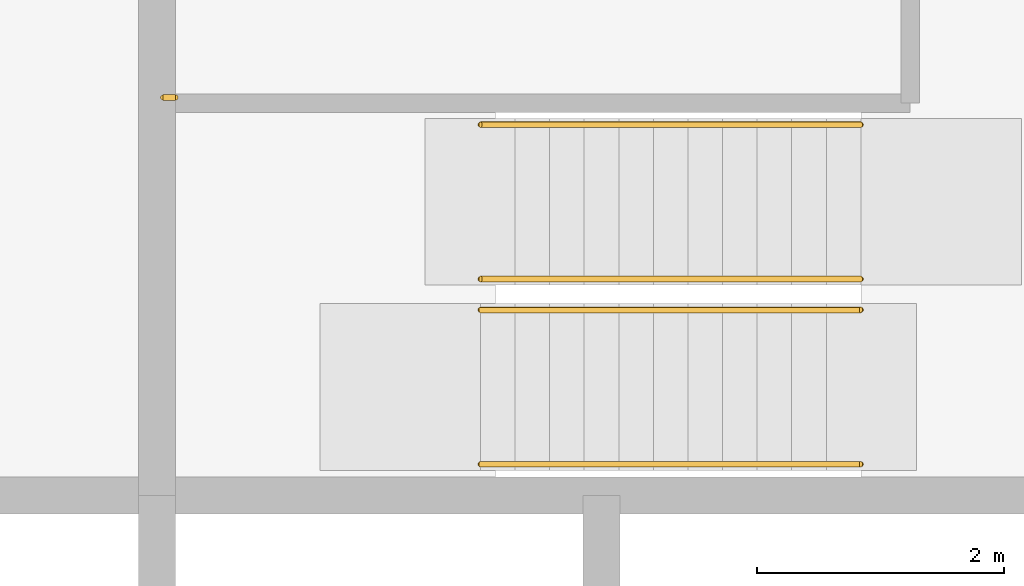
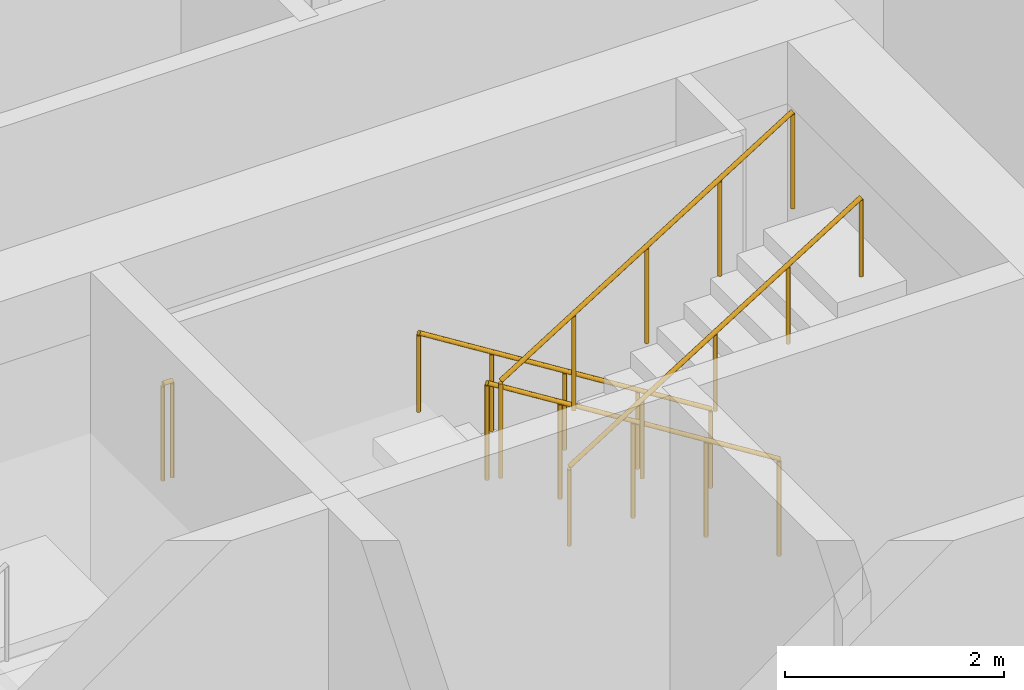
# One storey, part 18 of 21: 5 railings.
"""IFC4 building model written with IfcOpenShell, lengths in metres."""

import ifcopenshell
import ifcopenshell.guid

model = None  # the IFC model being written
_history = None  # IfcOwnerHistory: only IFC2X3 demands one
_inside = {}  # id of a spatial element -> (the spatial element, [elements in it])
_under = {}  # id of a project, library or spatial element -> (it, [spatial elements below it])
_declared = {}  # id of a project -> (the project, [libraries it declares])
_typed = {}  # id of a type object -> (the type object, [elements of that type])
_made_of = {}  # id of a material, layer set ... -> (it, [elements and type objects made of it])


def new_model(schema):
    """Start an empty IFC model of exactly this schema.

    Asked for "IFC4X3", IfcOpenShell would pick the latest addendum, in which some entities
    have other attributes; the version numbers below select the first issue.
    IFC2X3 requires an IfcOwnerHistory on every rooted entity: one is made here for all.
    """
    global model, _history
    if schema == "IFC4X3":
        model = ifcopenshell.file(schema_version=(4, 3, 0, 0))
    else:
        model = ifcopenshell.file(schema=schema)
    _inside.clear()
    _under.clear()
    _declared.clear()
    _typed.clear()
    _made_of.clear()
    _history = None
    if model.schema == "IFC2X3":
        org = make("IfcOrganization", Name="unknown")
        user = make(
            "IfcPersonAndOrganization",
            ThePerson=make("IfcPerson", FamilyName="unknown"),
            TheOrganization=org,
        )
        app = make(
            "IfcApplication",
            ApplicationDeveloper=org,
            Version="unknown",
            ApplicationFullName="unknown",
            ApplicationIdentifier="unknown",
        )
        _history = make(
            "IfcOwnerHistory",
            OwningUser=user,
            OwningApplication=app,
            ChangeAction="ADDED",
            CreationDate=0,
        )
    return model


def make(cls, **values):
    """One entity of the class cls with the attributes given. An attribute that is None is left unset."""
    return model.create_entity(
        cls, **{name: value for name, value in values.items() if value is not None}
    )


def rooted(cls, **values):
    """An entity with a GlobalId (a new one), such as an element, a storey or a relation."""
    return make(cls, GlobalId=ifcopenshell.guid.new(), OwnerHistory=_history, **values)


def si_unit(unit_type, name, prefix=None):
    """IfcSIUnit, for example si_unit("LENGTHUNIT", "METRE", prefix="MILLI")."""
    return make("IfcSIUnit", UnitType=unit_type, Prefix=prefix, Name=name)


def assignment(units):
    """IfcUnitAssignment: the units of a project."""
    return None if units is None else make("IfcUnitAssignment", Units=units)


def point(xyz):
    """IfcCartesianPoint."""
    return None if xyz is None else make("IfcCartesianPoint", Coordinates=xyz)


def direction(xyz):
    """IfcDirection."""
    return None if xyz is None else make("IfcDirection", DirectionRatios=xyz)


def frame(location, z_axis=None, x_axis=None):
    """IfcAxis2Placement3D, a coordinate frame: its origin and axes. An axis left out is left unset."""
    return make(
        "IfcAxis2Placement3D",
        Location=point(location),
        Axis=direction(z_axis),
        RefDirection=direction(x_axis),
    )


def frame_2d(location, x_axis=None):
    """IfcAxis2Placement2D, a coordinate frame in the plane: its origin and x axis."""
    return make(
        "IfcAxis2Placement2D", Location=point(location), RefDirection=direction(x_axis)
    )


def origin():
    """The frame at (0, 0, 0) with its axes left unset."""
    return frame((0.0, 0.0, 0.0))


def origin_2d():
    """The frame at (0, 0) in the plane with its x axis left unset."""
    return frame_2d((0.0, 0.0))


def place(relative_to, where):
    """IfcLocalPlacement: puts the frame where relative to a parent placement (None: the world)."""
    return make(
        "IfcLocalPlacement", PlacementRelTo=relative_to, RelativePlacement=where
    )


def context(
    kind, dimensions, precision=None, world=None, true_north=None, identifier=None
):
    """IfcGeometricRepresentationContext, for example the 3D "Model" context."""
    return make(
        "IfcGeometricRepresentationContext",
        ContextIdentifier=identifier,
        ContextType=kind,
        CoordinateSpaceDimension=dimensions,
        Precision=precision,
        WorldCoordinateSystem=world,
        TrueNorth=true_north,
    )


def subcontext(parent, identifier, kind, view, scale=None):
    """IfcGeometricRepresentationSubContext, for example "Body" below "Model"."""
    return make(
        "IfcGeometricRepresentationSubContext",
        ContextIdentifier=identifier,
        ContextType=kind,
        ParentContext=parent,
        TargetScale=scale,
        TargetView=view,
    )


def project(units=None, contexts=None):
    """IfcProject with its units and contexts."""
    return rooted(
        "IfcProject",
        Name="project",
        RepresentationContexts=contexts,
        UnitsInContext=assignment(units),
    )


def spatial(cls, under=None, at=None, **own):
    """A site, building, storey or space (cls), placed at a placement, below another one or the project."""
    s = rooted(cls, ObjectPlacement=at, **own)
    if under is not None:
        _under.setdefault(under.id(), (under, []))[1].append(s)
    return s


def profile(cls, at=None, kind="AREA", **sizes):
    """A parametric profile (cls). Its sizes go by their IFC names, for example OverallWidth=200.0."""
    return make(cls, ProfileType=kind, Position=at, **sizes)


def circle(**sizes):
    """IfcCircleProfileDef."""
    return profile("IfcCircleProfileDef", **sizes)


def extrude(swept, where, along, depth):
    """IfcExtrudedAreaSolid: the profile swept, set in the frame where, extruded along a direction by depth."""
    return make(
        "IfcExtrudedAreaSolid",
        SweptArea=swept,
        Position=where,
        ExtrudedDirection=direction(along),
        Depth=depth,
    )


def shape(context_of_items, identifier, shape_type, items):
    """IfcShapeRepresentation: the items that make up one representation, for example the "Body"."""
    return make(
        "IfcShapeRepresentation",
        ContextOfItems=context_of_items,
        RepresentationIdentifier=identifier,
        RepresentationType=shape_type,
        Items=items,
    )


def material(Name=None, Category=None):
    """IfcMaterial."""
    return make("IfcMaterial", Name=Name, Category=Category)


def made_of(thing, what):
    """Note that an element or type object is made of a material, layer set ...; save() writes the relation."""
    if what is not None:
        _made_of.setdefault(what.id(), (what, []))[1].append(thing)
    return thing


def type_object(cls, material=None, **own):
    """A type object (cls), such as IfcWallType, which elements share."""
    return made_of(rooted(cls, **own), material)


def element(
    cls,
    number,
    at=None,
    inside=None,
    cuts=None,
    type_object=None,
    material=None,
    context=None,
    identifier="Body",
    shape_type=None,
    held_by="IfcProductDefinitionShape",
    body=None,
    shapes=None,
    **own,
):
    """One element of the class cls, such as IfcWall. Its Tag is "e" and its number.

    at: its placement. inside: the storey or other place that contains it. cuts: it is an
    opening in that element (IfcRelVoidsElement). A single representation is given by context,
    identifier, shape_type and body (its items); several are given by shapes. held_by: the class
    of the entity that holds the representations. save() writes the other relations.
    """
    e = rooted(cls, Tag="e%d" % number, ObjectPlacement=at, **own)
    if body is not None:
        shapes = [shape(context, identifier, shape_type, body)]
    if shapes is not None:
        e.Representation = make(held_by, Representations=shapes)
    if inside is not None:
        _inside.setdefault(inside.id(), (inside, []))[1].append(e)
    if cuts is not None:
        rooted(
            "IfcRelVoidsElement", RelatingBuildingElement=cuts, RelatedOpeningElement=e
        )
    if type_object is not None:
        _typed.setdefault(type_object.id(), (type_object, []))[1].append(e)
    return made_of(e, material)


def aggregate(whole, parts):
    """IfcRelAggregates: a whole, such as a stair, and the parts it consists of."""
    return rooted("IfcRelAggregates", RelatingObject=whole, RelatedObjects=parts)


def save(model, path):
    """Write the relations noted so far, then the file.

    IfcRelAggregates (storeys below a building ...), IfcRelContainedInSpatialStructure (elements
    in a storey), IfcRelDefinesByType, IfcRelAssociatesMaterial and IfcRelDeclares: one each for
    every whole, place, type object, material and project.
    """
    for whole, parts in _under.values():
        aggregate(whole, parts)
    for where, things in _inside.values():
        rooted(
            "IfcRelContainedInSpatialStructure",
            RelatedElements=things,
            RelatingStructure=where,
        )
    for kind, things in _typed.values():
        rooted("IfcRelDefinesByType", RelatedObjects=things, RelatingType=kind)
    for what, things in _made_of.values():
        rooted("IfcRelAssociatesMaterial", RelatedObjects=things, RelatingMaterial=what)
    for by, libraries in _declared.values():
        rooted("IfcRelDeclares", RelatingContext=by, RelatedDefinitions=libraries)
    model.write(path)


model = new_model("IFC4")

# Units and contexts
model_context = context("Model", 3, precision=1e-05, world=origin(), true_north=direction((0.0, 1.0)))
body_context = subcontext(model_context, "Body", "Model", "MODEL_VIEW")
ifc_project = project(units=[si_unit("LENGTHUNIT", "METRE"), si_unit("AREAUNIT", "SQUARE_METRE"), si_unit("VOLUMEUNIT", "CUBIC_METRE"), si_unit("PLANEANGLEUNIT", "RADIAN"), si_unit("MASSUNIT", "GRAM", prefix="KILO")], contexts=[model_context])

# Site, building, storey
site_placement = place(None, origin())
site = spatial("IfcSite", under=ifc_project, at=site_placement, CompositionType="ELEMENT")
building_placement = place(site_placement, origin())
building = spatial("IfcBuilding", under=site, at=building_placement, Name="Windrow Commons", CompositionType="ELEMENT")
storey_placement = place(building_placement, frame((0.0, 0.0, 131.2)))
storey = spatial("IfcBuildingStorey", under=building, at=storey_placement, Name="L35", CompositionType="ELEMENT", Elevation=131.2)

# Railings
ifc_material_1 = material(Name="Steel S355", Category="steel")
railing_type_1 = type_object("IfcRailingType", Name="Core stair guard 1100", PredefinedType="GUARDRAIL", material=ifc_material_1)
railing_1_placement = place(storey_placement, frame((70.5, 62.355, 0.175)))
element("IfcRailing", 1, at=railing_1_placement, inside=storey, type_object=railing_type_1, Name="L35 ST-A2 stair guard 1", PredefinedType="GUARDRAIL", context=body_context, shape_type="SweptSolid", body=[
    extrude(circle(Radius=0.024, at=origin_2d()), frame((0.0, 0.0, 1.076), z_axis=(-0.847998304, 0.0, 0.52999894), x_axis=(0.0, -1.0, 0.0)), (0.0, 0.0, 1.0), 3.6321),
    extrude(circle(Radius=0.021, at=origin_2d()), origin(), (0.0, 0.0, 1.0), 1.052),
    extrude(circle(Radius=0.021, at=origin_2d()), frame((-0.77, 0.0, 0.4813)), (0.0, 0.0, 1.0), 1.052),
    extrude(circle(Radius=0.021, at=origin_2d()), frame((-1.54, 0.0, 0.9625)), (0.0, 0.0, 1.0), 1.052),
    extrude(circle(Radius=0.021, at=origin_2d()), frame((-2.31, 0.0, 1.4438)), (0.0, 0.0, 1.0), 1.052),
    extrude(circle(Radius=0.021, at=origin_2d()), frame((-3.08, 0.0, 1.925)), (0.0, 0.0, 1.0), 1.052),
])
railing_2_placement = place(storey_placement, frame((67.42, 62.105, 2.275)))
element("IfcRailing", 2, at=railing_2_placement, inside=storey, type_object=railing_type_1, Name="L35 ST-A2 stair guard 2", PredefinedType="GUARDRAIL", context=body_context, shape_type="SweptSolid", body=[
    extrude(circle(Radius=0.024, at=origin_2d()), frame((0.0, 0.0, 1.076), z_axis=(0.847998304, 0.0, 0.52999894), x_axis=(0.0, 1.0, 0.0)), (0.0, 0.0, 1.0), 3.6321),
    extrude(circle(Radius=0.021, at=origin_2d()), origin(), (0.0, 0.0, 1.0), 1.052),
    extrude(circle(Radius=0.021, at=origin_2d()), frame((0.77, 0.0, 0.4813)), (0.0, 0.0, 1.0), 1.052),
    extrude(circle(Radius=0.021, at=origin_2d()), frame((1.54, 0.0, 0.9625)), (0.0, 0.0, 1.0), 1.052),
    extrude(circle(Radius=0.021, at=origin_2d()), frame((2.31, 0.0, 1.4438)), (0.0, 0.0, 1.0), 1.052),
    extrude(circle(Radius=0.021, at=origin_2d()), frame((3.08, 0.0, 1.925)), (0.0, 0.0, 1.0), 1.052),
])
railing_3_placement = place(storey_placement, frame((64.95, 63.825, 2.1)))
element("IfcRailing", 3, at=railing_3_placement, inside=storey, type_object=railing_type_1, Name="L35 ST-A2 stair guard 3", PredefinedType="GUARDRAIL", context=body_context, shape_type="SweptSolid", body=[
    extrude(circle(Radius=0.024, at=origin_2d()), frame((0.0, 0.0, 1.076), z_axis=(-1.0, 0.0, 0.0), x_axis=(0.0, -1.0, 0.0)), (0.0, 0.0, 1.0), 0.1),
    extrude(circle(Radius=0.021, at=origin_2d()), origin(), (0.0, 0.0, 1.0), 1.052),
    extrude(circle(Radius=0.021, at=origin_2d()), frame((-0.1, 0.0, 0.0)), (0.0, 0.0, 1.0), 1.052),
])
ifc_material_2 = material(Name="Steel S355", Category="steel")
railing_type_2 = type_object("IfcRailingType", Name="Core stair handrail 900", PredefinedType="HANDRAIL", material=ifc_material_2)
railing_4_placement = place(storey_placement, frame((70.5, 63.605, 0.175)))
element("IfcRailing", 4, at=railing_4_placement, inside=storey, type_object=railing_type_2, Name="L35 ST-A2 stair handrail 1", PredefinedType="HANDRAIL", context=body_context, shape_type="SweptSolid", body=[
    extrude(circle(Radius=0.024, at=origin_2d()), frame((0.0, 0.0, 0.876), z_axis=(-0.847998304, 0.0, 0.52999894), x_axis=(0.0, -1.0, 0.0)), (0.0, 0.0, 1.0), 3.6321),
    extrude(circle(Radius=0.021, at=origin_2d()), origin(), (0.0, 0.0, 1.0), 0.852),
    extrude(circle(Radius=0.021, at=origin_2d()), frame((-0.77, 0.0, 0.4813)), (0.0, 0.0, 1.0), 0.852),
    extrude(circle(Radius=0.021, at=origin_2d()), frame((-1.54, 0.0, 0.9625)), (0.0, 0.0, 1.0), 0.852),
    extrude(circle(Radius=0.021, at=origin_2d()), frame((-2.31, 0.0, 1.4438)), (0.0, 0.0, 1.0), 0.852),
    extrude(circle(Radius=0.021, at=origin_2d()), frame((-3.08, 0.0, 1.925)), (0.0, 0.0, 1.0), 0.852),
])
railing_5_placement = place(storey_placement, frame((67.42, 60.855, 2.275)))
element("IfcRailing", 5, at=railing_5_placement, inside=storey, type_object=railing_type_2, Name="L35 ST-A2 stair handrail 2", PredefinedType="HANDRAIL", context=body_context, shape_type="SweptSolid", body=[
    extrude(circle(Radius=0.024, at=origin_2d()), frame((0.0, 0.0, 0.876), z_axis=(0.847998304, 0.0, 0.52999894), x_axis=(0.0, 1.0, 0.0)), (0.0, 0.0, 1.0), 3.6321),
    extrude(circle(Radius=0.021, at=origin_2d()), origin(), (0.0, 0.0, 1.0), 0.852),
    extrude(circle(Radius=0.021, at=origin_2d()), frame((0.77, 0.0, 0.4813)), (0.0, 0.0, 1.0), 0.852),
    extrude(circle(Radius=0.021, at=origin_2d()), frame((1.54, 0.0, 0.9625)), (0.0, 0.0, 1.0), 0.852),
    extrude(circle(Radius=0.021, at=origin_2d()), frame((2.31, 0.0, 1.4438)), (0.0, 0.0, 1.0), 0.852),
    extrude(circle(Radius=0.021, at=origin_2d()), frame((3.08, 0.0, 1.925)), (0.0, 0.0, 1.0), 0.852),
])

save(model, "model.ifc")
